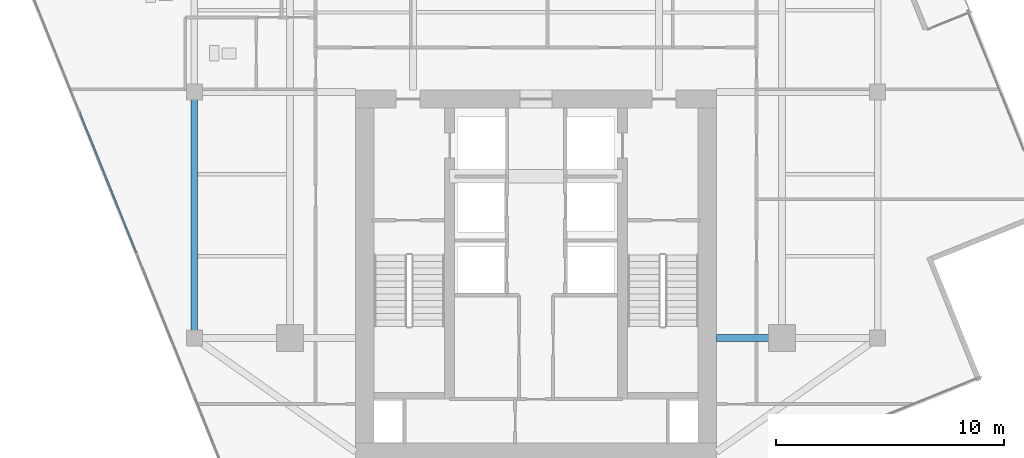
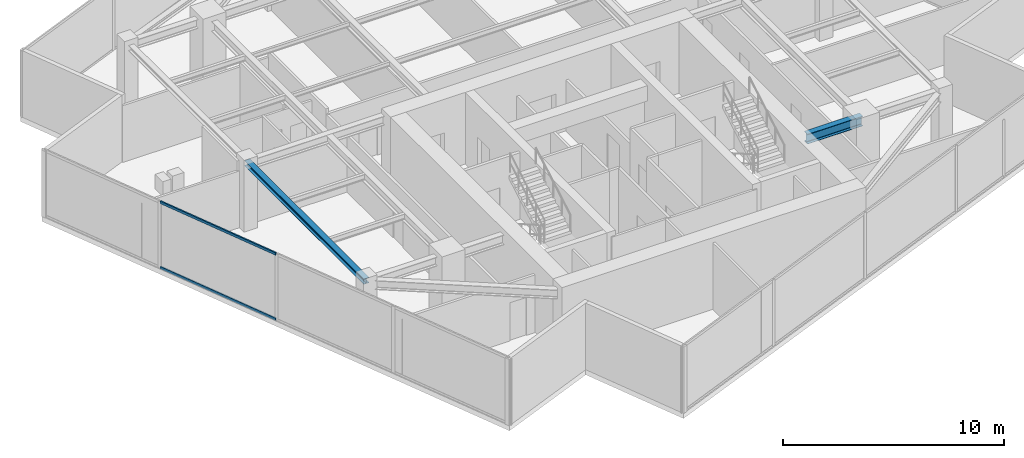
# One storey, part 4 of 21: 2 beams, 2 members, 1 element without a shape of its own.
"""IFC4 building model written with IfcOpenShell, lengths in metres."""

from ifc_helpers import new_model, si_unit, direction, frame, origin, origin_2d, place, context, subcontext, project, spatial, hollow_rectangle, i_section, extrude, source, transform, mapped, material, material_profile, profile_set, type_object, type_shapes, element, aggregate, save


model = new_model("IFC4")

# Units and contexts
model_context = context("Model", 3, precision=1e-05, world=origin(), true_north=direction((0.0, 1.0)))
body_context = subcontext(model_context, "Body", "Model", "MODEL_VIEW")
ifc_project = project(units=[si_unit("LENGTHUNIT", "METRE"), si_unit("AREAUNIT", "SQUARE_METRE"), si_unit("VOLUMEUNIT", "CUBIC_METRE"), si_unit("PLANEANGLEUNIT", "RADIAN"), si_unit("MASSUNIT", "GRAM", prefix="KILO")], contexts=[model_context])

# Site, building, storey
site_placement = place(None, origin())
site = spatial("IfcSite", under=ifc_project, at=site_placement, CompositionType="ELEMENT")
building_placement = place(site_placement, origin())
building = spatial("IfcBuilding", under=site, at=building_placement, Name="Krantzveldt Concourse Tower", CompositionType="ELEMENT")
storey_placement = place(building_placement, frame((0.0, 0.0, 323.75)))
storey = spatial("IfcBuildingStorey", under=building, at=storey_placement, Name="L79", CompositionType="ELEMENT", Elevation=323.75)

# Beams
ifc_material_1 = material(Name="Steel S355JR", Category="steel")
ifc_material_profile_1 = material_profile(ifc_material_1, i_section(OverallWidth=0.300048828125, OverallDepth=0.5400390625, WebThickness=0.012451171875, FlangeThickness=0.02392578125, FilletRadius=0.027099609375, at=origin_2d()), Name="Steel S355JR", Category="steel")
ifc_profile_set_1 = profile_set([ifc_material_profile_1], Name="Steel S355JR - HEA 550")
beam_type_1 = type_object("IfcBeamType", Name="BM-B-HEA550", PredefinedType="BEAM", material=ifc_profile_set_1)
shared_shape_1 = source(origin(), body_context, "Body", "SweptSolid", [
    extrude(i_section(OverallWidth=0.300048828125, OverallDepth=0.5400390625, WebThickness=0.012451171875, FlangeThickness=0.02392578125, FilletRadius=0.027099609375, at=origin_2d()), origin(), (0.0, 0.0, 1.0), 2.880126953125),
])
type_shapes(beam_type_1, [shared_shape_1])
beam_1_placement = place(storey_placement, frame((43.919921875, 15.89990234375, 3.39990234375), z_axis=(1.0, 0.0, 0.0), x_axis=(0.0, 1.0, 0.0)))
element("IfcBeam", 1, at=beam_1_placement, inside=storey, type_object=beam_type_1, Name="L79 Tower Girder BG-CE1", PredefinedType="BEAM", context=body_context, shape_type="MappedRepresentation", body=[
    mapped(shared_shape_1, transform((0.0, 0.0, 0.0), x_axis=(1.0, 0.0, 0.0), y_axis=(0.0, 1.0, 0.0), z_axis=(0.0, 0.0, 1.0), scale=1.0)),
])
ifc_material_profile_2 = material_profile(ifc_material_1, i_section(OverallWidth=0.2900390625, OverallDepth=0.2900390625, WebThickness=0.008544921875, FlangeThickness=0.013916015625, FilletRadius=0.027099609375, at=origin_2d()), Name="Steel S355JR", Category="steel")
ifc_profile_set_2 = profile_set([ifc_material_profile_2], Name="Steel S355JR - HEA 300")
beam_type_2 = type_object("IfcBeamType", Name="BM-SP-HEA300", PredefinedType="SPANDREL", material=ifc_profile_set_2)
shared_shape_2 = source(origin(), body_context, "Body", "SweptSolid", [
    extrude(i_section(OverallWidth=0.2900390625, OverallDepth=0.2900390625, WebThickness=0.008544921875, FlangeThickness=0.013916015625, FilletRadius=0.027099609375, at=origin_2d()), origin(), (0.0, 0.0, 1.0), 10.800048828125),
])
type_shapes(beam_type_2, [shared_shape_2])
beam_2_placement = place(storey_placement, frame((21.0, 15.89990234375, 3.52490234375), z_axis=(0.0, 1.0, 0.0), x_axis=(-1.0, 0.0, 0.0)))
element("IfcBeam", 2, at=beam_2_placement, inside=storey, type_object=beam_type_2, Name="L79 Tower Girder SP-R01", PredefinedType="SPANDREL", context=body_context, shape_type="MappedRepresentation", body=[
    mapped(shared_shape_2, transform((0.0, 0.0, 0.0), x_axis=(1.0, 0.0, 0.0), y_axis=(0.0, 1.0, 0.0), z_axis=(0.0, 0.0, 1.0), scale=1.0)),
])

# Curtain wall, members
ifc_material_2 = material(Name="Anodised aluminium 6063-T6", Category="aluminium")
curtain_wall_type = type_object("IfcCurtainWallType", Name="CW4", PredefinedType="USERDEFINED", material=ifc_material_2)
curtain_wall_placement = place(storey_placement, origin())
curtain_wall = element("IfcCurtainWall", 3, at=curtain_wall_placement, inside=storey, type_object=curtain_wall_type, Name="CW-L79-F04", ObjectType="UNITISED CURTAIN WALL", PredefinedType="USERDEFINED")
ifc_material_profile_3 = material_profile(ifc_material_2, hollow_rectangle(XDim=0.070068359375, YDim=0.139892578125, WallThickness=0.0048828125, at=origin_2d()), Name="Anodised aluminium 6063-T6", Category="aluminium")
ifc_profile_set_3 = profile_set([ifc_material_profile_3], Name="Anodised aluminium 6063-T6 - ALU-TRAN 140x70x5")
member_type = type_object("IfcMemberType", Name="CW-TRN-150", PredefinedType="USERDEFINED", material=ifc_profile_set_3)
shared_shape_3 = source(origin(), body_context, "Body", "SweptSolid", [
    extrude(hollow_rectangle(XDim=0.070068359375, YDim=0.139892578125, WallThickness=0.0048828125, at=origin_2d()), origin(), (0.0, 0.0, 1.0), 6.6298828125),
])
type_shapes(member_type, [shared_shape_3])
member_1_placement = place(storey_placement, frame((15.97021484375, 25.7958984375, 0.034912109375), z_axis=(0.374607342392, -0.92718355196, 0.0), x_axis=(0.92718355196, 0.374607342392, 0.0)))
member_1 = element("IfcMember", 4, at=member_1_placement, type_object=member_type, Name="CW-Z56 transom 2.1", ObjectType="TRANSOM", PredefinedType="USERDEFINED", context=body_context, shape_type="MappedRepresentation", body=[
    mapped(shared_shape_3, transform((0.0, 0.0, 0.0), x_axis=(1.0, 0.0, 0.0), y_axis=(0.0, 1.0, 0.0), z_axis=(0.0, 0.0, 1.0), scale=1.0)),
])
member_2_placement = place(storey_placement, frame((15.97021484375, 25.7958984375, 3.635009765625), z_axis=(0.374607342392, -0.92718355196, 0.0), x_axis=(0.92718355196, 0.374607342392, 0.0)))
member_2 = element("IfcMember", 5, at=member_2_placement, type_object=member_type, Name="CW-Z56 transom 2.2", ObjectType="TRANSOM", PredefinedType="USERDEFINED", context=body_context, shape_type="MappedRepresentation", body=[
    mapped(shared_shape_3, transform((0.0, 0.0, 0.0), x_axis=(1.0, 0.0, 0.0), y_axis=(0.0, 1.0, 0.0), z_axis=(0.0, 0.0, 1.0), scale=1.0)),
])
aggregate(curtain_wall, [member_1, member_2])

save(model, "model.ifc")
